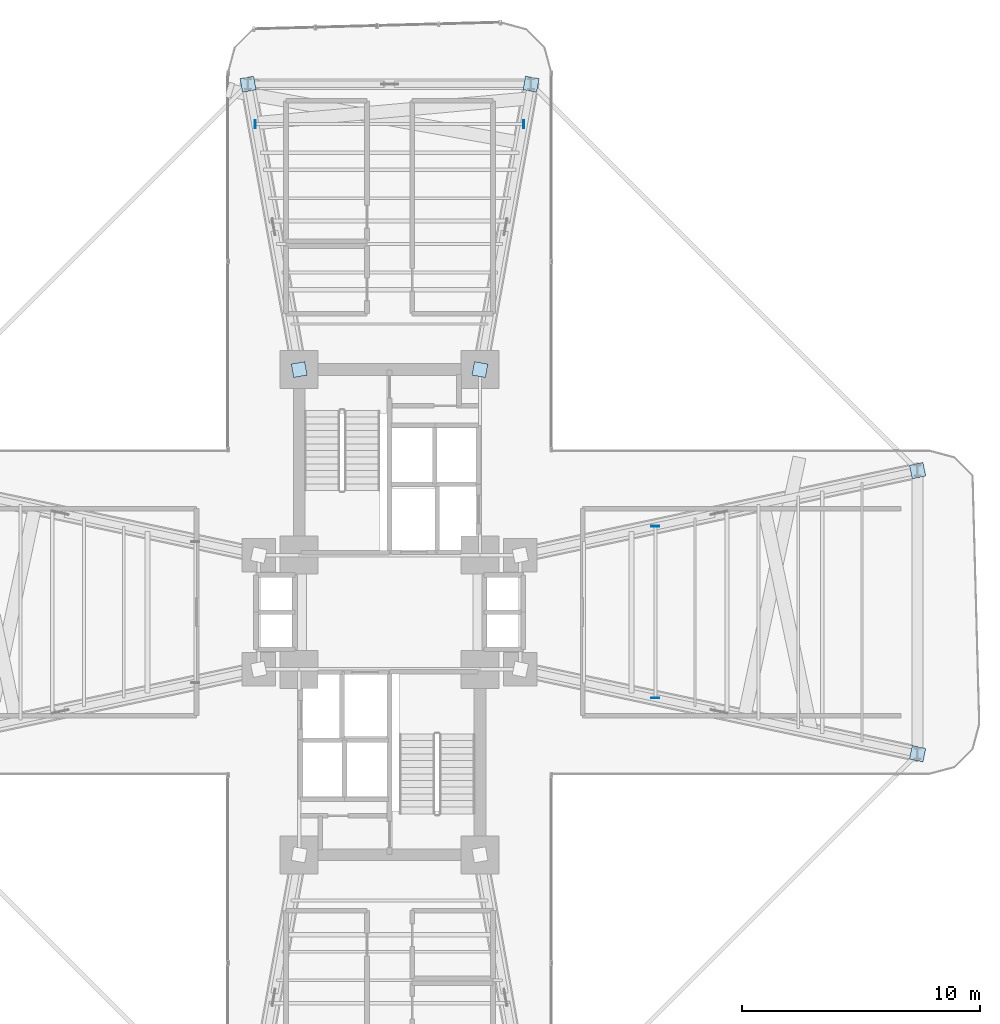
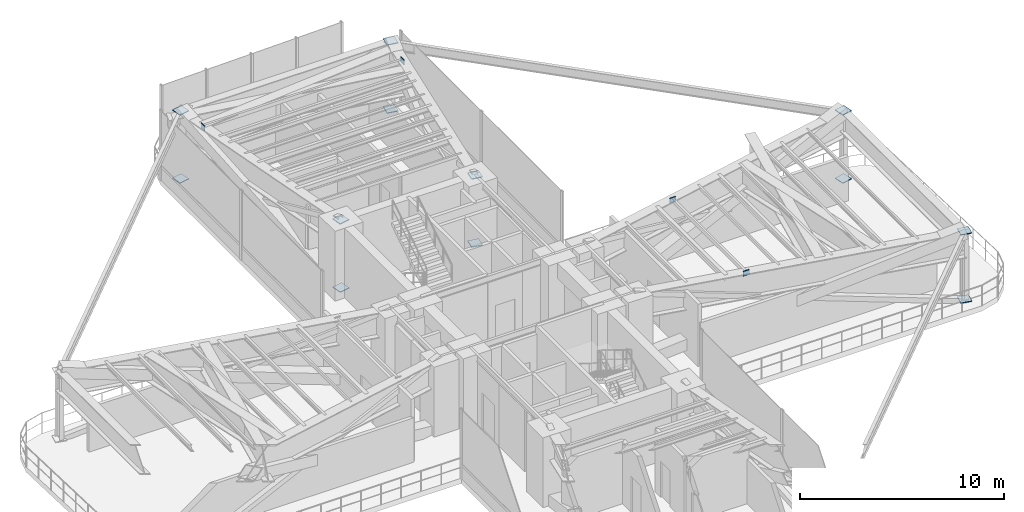
# One storey, part 13 of 18: 16 plates.
"""IFC4 building model written with IfcOpenShell, lengths in metres."""

from ifc_helpers import new_model, si_unit, direction, frame, origin, origin_2d, place, context, subcontext, project, spatial, rectangle, extrude, source, transform, mapped, material, type_object, element, save


model = new_model("IFC4")

# Units and contexts
model_context = context("Model", 3, precision=1e-05, world=origin(), true_north=direction((0.0, 1.0)))
body_context = subcontext(model_context, "Body", "Model", "MODEL_VIEW")
ifc_project = project(units=[si_unit("LENGTHUNIT", "METRE"), si_unit("AREAUNIT", "SQUARE_METRE"), si_unit("VOLUMEUNIT", "CUBIC_METRE"), si_unit("PLANEANGLEUNIT", "RADIAN"), si_unit("MASSUNIT", "GRAM", prefix="KILO")], contexts=[model_context])

# Site, building, storey
site_placement = place(None, origin())
site = spatial("IfcSite", under=ifc_project, at=site_placement, CompositionType="ELEMENT")
building_placement = place(site_placement, origin())
building = spatial("IfcBuilding", under=site, at=building_placement, Name="Sahyath Konkavel Grand Hotel", CompositionType="ELEMENT")
storey_placement = place(building_placement, frame((0.0, 0.0, 74.5)))
storey = spatial("IfcBuildingStorey", under=building, at=storey_placement, Name="L20", CompositionType="ELEMENT", Elevation=74.5)

# Plates
ifc_material = material(Name="Steel E450", Category="steel")
plate_type = type_object("IfcPlateType", Name="GUSSET-END-35", PredefinedType="USERDEFINED", material=ifc_material)
shared_shape_1 = source(origin(), body_context, "Body", "SweptSolid", [
    extrude(rectangle(XDim=0.580078125, YDim=0.580078125, at=origin_2d()), origin(), (0.0, 0.0, 1.0), 0.044921875),
])
for number, where, z_axis, x_axis, name in (
    (1, (22.199951171875, -5.949951171875, 0.027587890625), (0.0, 0.0, 1.0), (0.978143971841, -0.207928762682, 0.0), "L20 Core Outrigger Truss EA Cast-In Embed Gusset Plate BR"),
    (2, (22.199951171875, -5.949951171875, 4.107421875), (0.0, 0.0, 1.0), (0.978143971841, -0.207928762682, 0.0), "L20 Core Outrigger Truss EA Cast-In Embed Gusset Plate TR"),
    (3, (22.199951171875, 5.949951171875, 0.027587890625), (0.0, 0.0, 1.0), (0.978143971841, 0.207928762682, 0.0), "L20 Core Outrigger Truss EB Cast-In Embed Gusset Plate BR"),
    (4, (22.199951171875, 5.949951171875, 4.107421875), (0.0, 0.0, 1.0), (0.978143971841, 0.207928762682, 0.0), "L20 Core Outrigger Truss EB Cast-In Embed Gusset Plate TR"),
    (5, (3.800048828125, 10.199951171875, 0.027587890625), (0.0, 0.0, 1.0), (0.176363239745, 0.984325153426, 0.0), "L20 Core Outrigger Truss NA Cast-In Embed Gusset Plate BL"),
    (6, (3.800048828125, 10.199951171875, 4.107421875), (0.0, 0.0, 1.0), (0.176363239745, 0.984325153426, 0.0), "L20 Core Outrigger Truss NA Cast-In Embed Gusset Plate TL"),
    (7, (5.949951171875, 22.199951171875, 0.027587890625), (0.0, 0.0, 1.0), (0.176363239745, 0.984325153426, 0.0), "L20 Core Outrigger Truss NA Cast-In Embed Gusset Plate BR"),
    (8, (5.949951171875, 22.199951171875, 4.107421875), (0.0, 0.0, 1.0), (0.176363239745, 0.984325153426, 0.0), "L20 Core Outrigger Truss NA Cast-In Embed Gusset Plate TR"),
    (9, (-3.800048828125, 10.199951171875, 0.027587890625), (0.0, 0.0, 1.0), (-0.176363239745, 0.984325153426, 0.0), "L20 Core Outrigger Truss NB Cast-In Embed Gusset Plate BL"),
    (10, (-3.800048828125, 10.199951171875, 4.107421875), (0.0, 0.0, 1.0), (-0.176363239745, 0.984325153426, 0.0), "L20 Core Outrigger Truss NB Cast-In Embed Gusset Plate TL"),
    (11, (-5.949951171875, 22.199951171875, 0.027587890625), (0.0, 0.0, 1.0), (-0.176363239745, 0.984325153426, 0.0), "L20 Core Outrigger Truss NB Cast-In Embed Gusset Plate BR"),
    (12, (-5.949951171875, 22.199951171875, 4.107421875), (0.0, 0.0, 1.0), (-0.176363239745, 0.984325153426, 0.0), "L20 Core Outrigger Truss NB Cast-In Embed Gusset Plate TR"),
):
    element("IfcPlate", number, at=place(storey_placement, frame(where, z_axis=z_axis, x_axis=x_axis)), inside=storey, type_object=plate_type, Name=name, ObjectType="GUSSET_PLATE", PredefinedType="USERDEFINED", context=body_context, shape_type="MappedRepresentation", body=[
        mapped(shared_shape_1, transform((0.0, 0.0, 0.0), scale=1.0)),
    ])
shared_shape_2 = source(origin(), body_context, "Body", "SweptSolid", [
    extrude(rectangle(XDim=0.0400390625, YDim=0.340087890625, at=origin_2d()), origin(), (0.0, 0.0, 1.0), 0.300048828125),
])
for number, where, z_axis, x_axis, name in (
    (13, (11.177978515625, -3.60693359375, 3.919921875), (0.0, 0.0, 1.0), (0.0, 1.0, 0.0), "L20 Sub-Beam E-2 End Cap A"),
    (14, (11.177978515625, 3.60693359375, 3.919921875), (0.0, 0.0, 1.0), (0.0, 1.0, 0.0), "L20 Sub-Beam E-2 End Cap B"),
    (15, (5.64892578125, 20.52001953125, 3.919921875), (0.0, 0.0, 1.0), (-1.0, 0.0, 0.0), "L20 Sub-Beam N-6 End Cap A"),
    (16, (-5.64892578125, 20.52001953125, 3.919921875), (0.0, 0.0, 1.0), (-1.0, 0.0, 0.0), "L20 Sub-Beam N-6 End Cap B"),
):
    element("IfcPlate", number, at=place(storey_placement, frame(where, z_axis=z_axis, x_axis=x_axis)), inside=storey, type_object=plate_type, Name=name, ObjectType="GUSSET_PLATE", PredefinedType="USERDEFINED", context=body_context, shape_type="MappedRepresentation", body=[
        mapped(shared_shape_2, transform((0.0, 0.0, 0.0), scale=1.0)),
    ])

save(model, "model.ifc")
